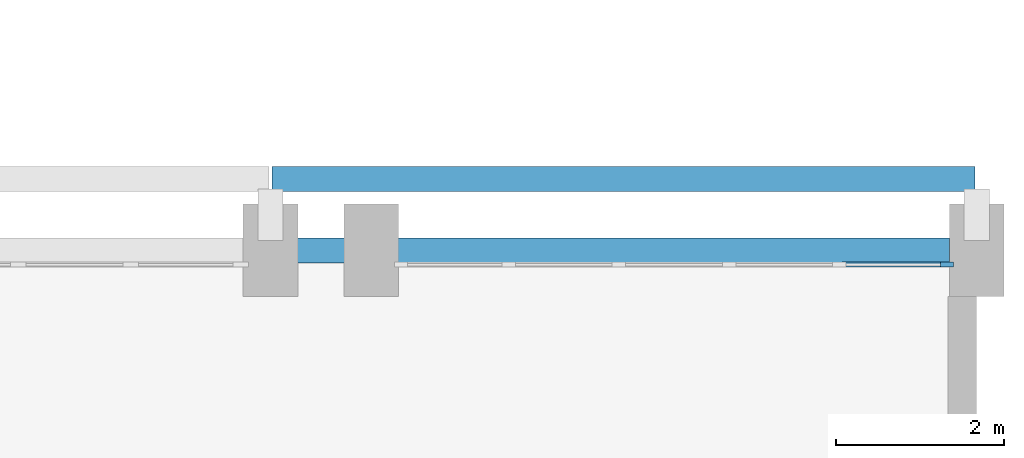
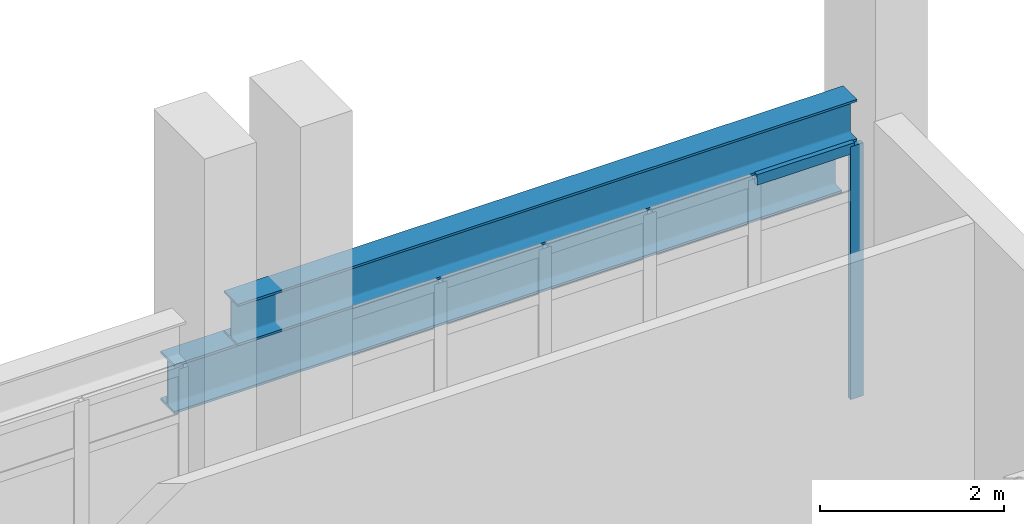
# One storey, part 87 of 147: 2 beams, 2 members, 1 element without a shape of its own.
"""IFC4 building model written with IfcOpenShell, lengths in metres."""

from ifc_helpers import new_model, si_unit, direction, frame, origin, origin_2d, place, context, subcontext, project, spatial, rectangle, i_section, extrude, material, material_profile, profile_set, type_object, element, aggregate, save


model = new_model("IFC4")

# Units and contexts
model_context = context("Model", 3, precision=1e-05, world=origin(), true_north=direction((0.0, 1.0)))
body_context = subcontext(model_context, "Body", "Model", "MODEL_VIEW")
ifc_project = project(units=[si_unit("LENGTHUNIT", "METRE"), si_unit("AREAUNIT", "SQUARE_METRE"), si_unit("VOLUMEUNIT", "CUBIC_METRE"), si_unit("PLANEANGLEUNIT", "RADIAN"), si_unit("MASSUNIT", "GRAM", prefix="KILO")], contexts=[model_context])

# Site, building, storey
site_placement = place(None, origin())
site = spatial("IfcSite", under=ifc_project, at=site_placement, CompositionType="ELEMENT")
building_placement = place(site_placement, origin())
building = spatial("IfcBuilding", under=site, at=building_placement, Name="Malvenik Polytechnic", CompositionType="ELEMENT")
storey_placement = place(building_placement, frame((0.0, 0.0, 5.10009765625)))
storey = spatial("IfcBuildingStorey", under=building, at=storey_placement, Name="L01", CompositionType="ELEMENT", Elevation=5.10009765625)

# Curtain wall, members
ifc_material_1 = material(Name="Anodised aluminium 6060-T6", Category="aluminium")
curtain_wall_type = type_object("IfcCurtainWallType", Name="ARC-CW-CW-05", PredefinedType="NOTDEFINED", material=ifc_material_1)
curtain_wall_placement = place(storey_placement, origin())
curtain_wall = element("IfcCurtainWall", 1, at=curtain_wall_placement, inside=storey, type_object=curtain_wall_type, Name="Unitised Curtain Wall CW-05 L01 #104", PredefinedType="NOTDEFINED")
ifc_material_2 = material(Name="Anodised aluminium", Category="aluminium")
ifc_material_profile_1 = material_profile(ifc_material_2, rectangle(XDim=0.06005859375, YDim=0.159912109375, at=origin_2d()), Name="ALU MULLION 60x160")
ifc_profile_set_1 = profile_set([ifc_material_profile_1], Name="Anodised aluminium")
member_type_1 = type_object("IfcMemberType", Name="ARC-CWM-160", PredefinedType="MULLION", material=ifc_profile_set_1)
member_1_placement = place(storey_placement, frame((184.447021484375, 35.830078125, 0.0), z_axis=(0.0, 0.0, 1.0), x_axis=(0.0, 1.0, 0.0)))
member_1 = element("IfcMember", 2, at=member_1_placement, type_object=member_type_1, Name="CW-05 mullion 6", PredefinedType="MULLION", context=body_context, shape_type="SweptSolid", body=[
    extrude(rectangle(XDim=0.06005859375, YDim=0.159912109375, at=origin_2d()), origin(), (0.0, 0.0, 1.0), 3.347900390625),
])
ifc_material_profile_2 = material_profile(ifc_material_2, rectangle(XDim=0.06005859375, YDim=0.139892578125, at=origin_2d()), Name="ALU TRANSOM 60x140")
ifc_profile_set_2 = profile_set([ifc_material_profile_2], Name="Anodised aluminium")
member_type_2 = type_object("IfcMemberType", Name="ARC-CWT-140", PredefinedType="USERDEFINED", material=ifc_profile_set_2)
member_2_placement = place(storey_placement, frame((183.1962890625, 35.830078125, 3.31787109375), z_axis=(1.0, 0.0, 0.0), x_axis=(0.0, 1.0, 0.0)))
member_2 = element("IfcMember", 3, at=member_2_placement, type_object=member_type_2, Name="CW-05 transom 5.4", ObjectType="TRANSOM", PredefinedType="USERDEFINED", context=body_context, shape_type="SweptSolid", body=[
    extrude(rectangle(XDim=0.06005859375, YDim=0.139892578125, at=origin_2d()), origin(), (0.0, 0.0, 1.0), 1.220703125),
])
aggregate(curtain_wall, [member_1, member_2])

# Beams
ifc_material_3 = material(Name="Steel S355", Category="steel")
ifc_material_profile_3 = material_profile(ifc_material_3, i_section(OverallWidth=0.300048828125, OverallDepth=0.64990234375, WebThickness=0.01611328125, FlangeThickness=0.031005859375, FilletRadius=0.027099609375, at=origin_2d()), Name="HEB 650")
ifc_profile_set_3 = profile_set([ifc_material_profile_3], Name="Steel S355")
beam_type_1 = type_object("IfcBeamType", Name="STR-BM-CB-01", PredefinedType="BEAM", material=ifc_profile_set_3)
beam_1_placement = place(storey_placement, frame((176.419921875, 36.85009765625, 2.375), z_axis=(1.0, 0.0, 0.0), x_axis=(0.0, 1.0, 0.0)))
element("IfcBeam", 4, at=beam_1_placement, inside=storey, type_object=beam_type_1, Name="100 kN Crane Runway Girder CB-01 #1.6", PredefinedType="BEAM", context=body_context, shape_type="SweptSolid", body=[
    extrude(i_section(OverallWidth=0.300048828125, OverallDepth=0.64990234375, WebThickness=0.01611328125, FlangeThickness=0.031005859375, FilletRadius=0.027099609375, at=origin_2d()), origin(), (0.0, 0.0, 1.0), 8.360107421875),
])
ifc_material_profile_4 = material_profile(ifc_material_3, i_section(OverallWidth=0.300048828125, OverallDepth=0.550048828125, WebThickness=0.014892578125, FlangeThickness=0.029052734375, FilletRadius=0.027099609375, at=origin_2d()), Name="HEB 550")
ifc_profile_set_4 = profile_set([ifc_material_profile_4], Name="Steel S355")
beam_type_2 = type_object("IfcBeamType", Name="STR-BM-SB-01", PredefinedType="BEAM", material=ifc_profile_set_4)
beam_2_placement = place(storey_placement, frame((176.722900390625, 36.0, 3.6328125), z_axis=(1.0, 0.0, 0.0), x_axis=(0.0, 1.0, 0.0)))
element("IfcBeam", 5, at=beam_2_placement, inside=storey, type_object=beam_type_2, Name="Beam SB-01 #6", PredefinedType="BEAM", context=body_context, shape_type="SweptSolid", body=[
    extrude(i_section(OverallWidth=0.300048828125, OverallDepth=0.550048828125, WebThickness=0.014892578125, FlangeThickness=0.029052734375, FilletRadius=0.027099609375, at=origin_2d()), origin(), (0.0, 0.0, 1.0), 7.754150390625),
])

save(model, "model.ifc")
